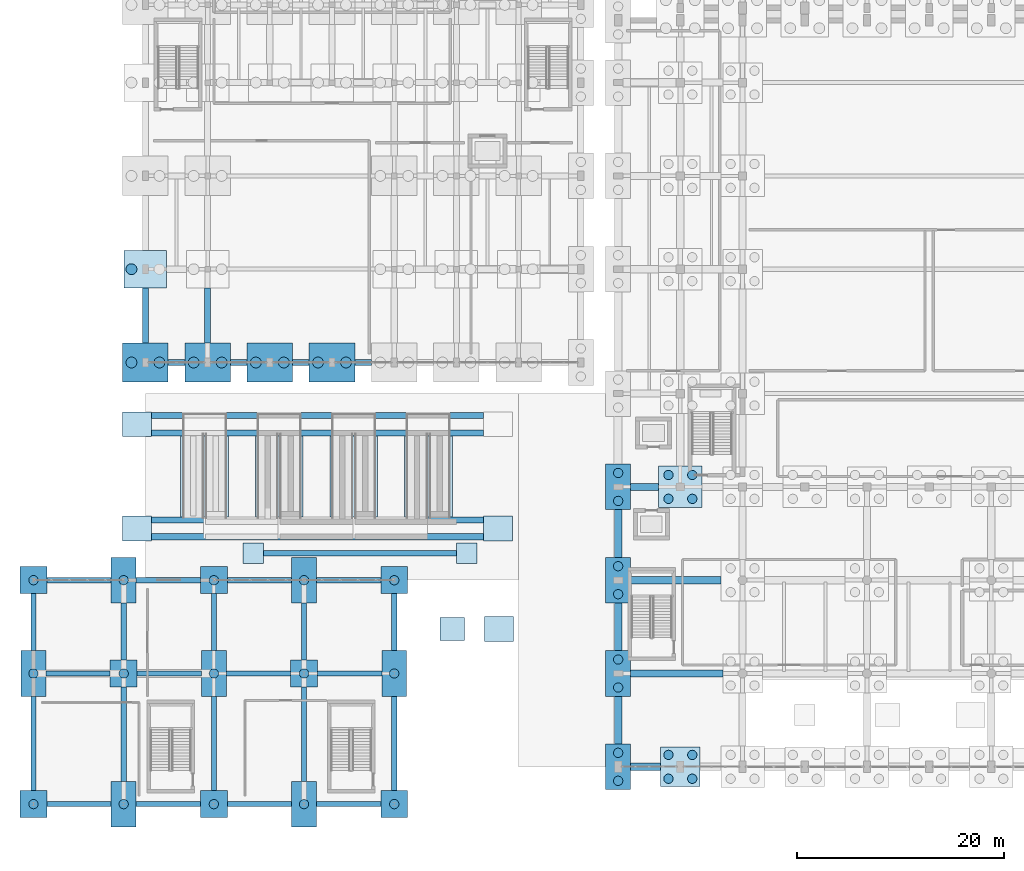
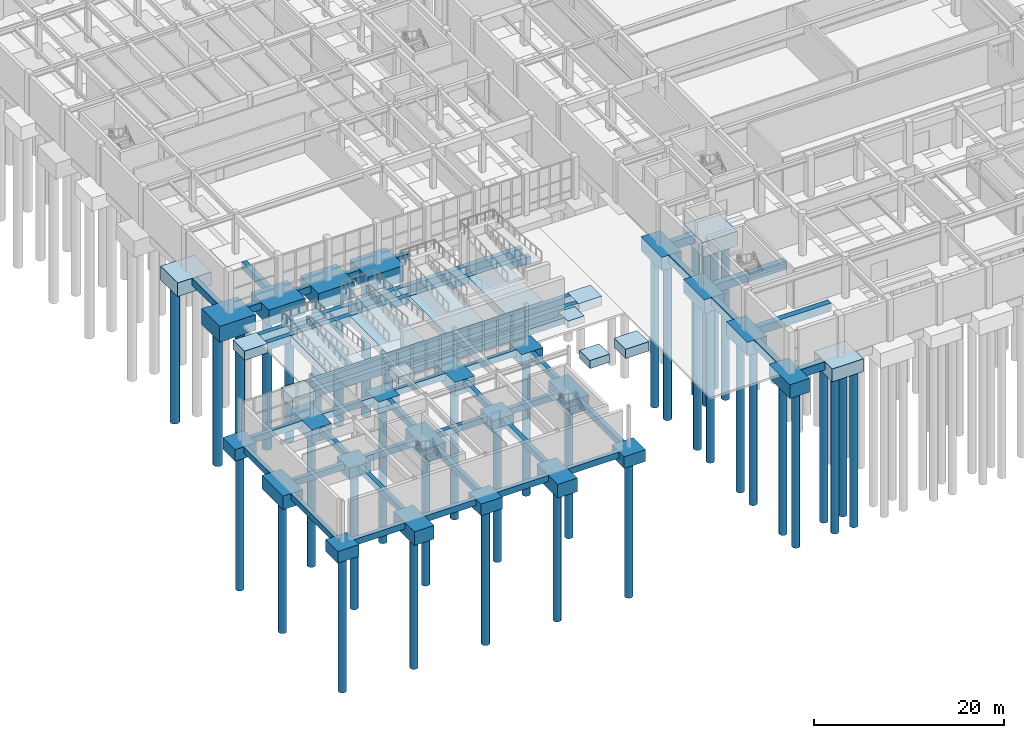
# One storey, part 1 of 69: 77 footings, 40 piles.
"""IFC4 building model written with IfcOpenShell, lengths in metres."""

from ifc_helpers import new_model, si_unit, direction, frame, origin, origin_2d, place, context, subcontext, project, spatial, rectangle, circle, extrude, material, material_profile, profile_set, type_object, element, save


model = new_model("IFC4")

# Units and contexts
model_context = context("Model", 3, precision=1e-05, world=origin(), true_north=direction((0.0, 1.0)))
body_context = subcontext(model_context, "Body", "Model", "MODEL_VIEW")
ifc_project = project(units=[si_unit("LENGTHUNIT", "METRE"), si_unit("AREAUNIT", "SQUARE_METRE"), si_unit("VOLUMEUNIT", "CUBIC_METRE"), si_unit("PLANEANGLEUNIT", "RADIAN"), si_unit("MASSUNIT", "GRAM", prefix="KILO")], contexts=[model_context])

# Site, building, storey
site_placement = place(None, origin())
site = spatial("IfcSite", under=ifc_project, at=site_placement, CompositionType="ELEMENT")
building_placement = place(site_placement, origin())
building = spatial("IfcBuilding", under=site, at=building_placement, Name="Vaelkrest Opera House", CompositionType="ELEMENT")
storey_placement = place(building_placement, frame((0.0, 0.0, -5.39990234375)))
storey = spatial("IfcBuildingStorey", under=building, at=storey_placement, Name="B1", CompositionType="ELEMENT", Elevation=-5.39990234375)

# Footings
ifc_material = material(Name="Concrete C40/50", Category="concrete")
footing_type_1 = type_object("IfcFootingType", Name="FB01", PredefinedType="FOOTING_BEAM", material=ifc_material)
for number, where, z_axis, x_axis, name in (
    (1, (-72.60009765625, -16.800048828125, -0.900146484375), (0.0, 0.0, 1.0), (1.0, 0.0, 0.0), "Footing tie beam FT-GB-0189"),
    (2, (-66.60009765625, -16.800048828125, -0.900146484375), (0.0, 0.0, 1.0), (1.0, 0.0, 0.0), "Footing tie beam FT-GB-0190"),
    (3, (-60.60009765625, -16.800048828125, -0.900146484375), (0.0, 0.0, 1.0), (1.0, 0.0, 0.0), "Footing tie beam FT-GB-0191"),
    (4, (-54.60009765625, -16.800048828125, -0.900146484375), (0.0, 0.0, 1.0), (1.0, 0.0, 0.0), "Footing tie beam FT-GB-0192"),
):
    element("IfcFooting", number, at=place(storey_placement, frame(where, z_axis=z_axis, x_axis=x_axis)), inside=storey, type_object=footing_type_1, Name=name, PredefinedType="FOOTING_BEAM", context=body_context, shape_type="SweptSolid", body=[
        extrude(rectangle(XDim=1.60009765625, YDim=0.60009765625, at=origin_2d()), origin(), (0.0, 0.0, 1.0), 0.89990234375),
    ])
for number, where, z_axis, x_axis, name in (
    (5, (-75.60009765625, -12.25, -0.900146484375), (0.0, 0.0, 1.0), (0.0, 1.0, 0.0), "Footing tie beam FT-GB-0239"),
    (6, (-69.60009765625, -12.25, -0.900146484375), (0.0, 0.0, 1.0), (0.0, 1.0, 0.0), "Footing tie beam FT-GB-0246"),
):
    element("IfcFooting", number, at=place(storey_placement, frame(where, z_axis=z_axis, x_axis=x_axis)), inside=storey, type_object=footing_type_1, Name=name, PredefinedType="FOOTING_BEAM", context=body_context, shape_type="SweptSolid", body=[
        extrude(rectangle(XDim=5.300048828125, YDim=0.60009765625, at=origin_2d()), origin(), (0.0, 0.0, 1.0), 0.89990234375),
    ])
for number, where, z_axis, x_axis, name in (
    (7, (-59.0, -32.0, -0.900146484375), (0.0, 0.0, 1.0), (1.0, 0.0, 0.0), "Forecourt ramp strip footing S1"),
    (8, (-59.0, -33.60009765625, -0.900146484375), (0.0, 0.0, 1.0), (1.0, 0.0, 0.0), "Forecourt ramp strip footing S2"),
    (9, (-59.0, -23.60009765625, -0.900146484375), (0.0, 0.0, 1.0), (1.0, 0.0, 0.0), "Forecourt ramp strip footing N1"),
    (10, (-59.0, -21.89990234375, -0.900146484375), (0.0, 0.0, 1.0), (1.0, 0.0, 0.0), "Forecourt ramp strip footing N2"),
):
    element("IfcFooting", number, at=place(storey_placement, frame(where, z_axis=z_axis, x_axis=x_axis)), inside=storey, type_object=footing_type_1, Name=name, PredefinedType="FOOTING_BEAM", context=body_context, shape_type="SweptSolid", body=[
        extrude(rectangle(XDim=32.0, YDim=0.60009765625, at=origin_2d()), origin(), (0.0, 0.0, 1.0), 0.89990234375),
    ])
footing_type_2 = type_object("IfcFootingType", Name="FB02", PredefinedType="FOOTING_BEAM", material=ifc_material)
footing_1_placement = place(storey_placement, frame((-27.35009765625, -55.800048828125, -1.05029296875), z_axis=(0.0, 0.0, 1.0), x_axis=(1.0, 0.0, 0.0)))
element("IfcFooting", 11, at=footing_1_placement, inside=storey, type_object=footing_type_2, Name="Footing tie beam FT-GB-0001", PredefinedType="FOOTING_BEAM", context=body_context, shape_type="SweptSolid", body=[
    extrude(rectangle(XDim=2.89990234375, YDim=0.699951171875, at=origin_2d()), origin(), (0.0, 0.0, 1.0), 1.050048828125),
])
footing_2_placement = place(storey_placement, frame((-24.35009765625, -46.800048828125, -1.05029296875), z_axis=(0.0, 0.0, 1.0), x_axis=(1.0, 0.0, 0.0)))
element("IfcFooting", 12, at=footing_2_placement, inside=storey, type_object=footing_type_2, Name="Footing tie beam FT-GB-0011", PredefinedType="FOOTING_BEAM", context=body_context, shape_type="SweptSolid", body=[
    extrude(rectangle(XDim=8.89990234375, YDim=0.699951171875, at=origin_2d()), origin(), (0.0, 0.0, 1.0), 1.050048828125),
])
footing_3_placement = place(storey_placement, frame((-24.449951171875, -37.800048828125, -1.05029296875), z_axis=(0.0, 0.0, 1.0), x_axis=(1.0, 0.0, 0.0)))
element("IfcFooting", 13, at=footing_3_placement, inside=storey, type_object=footing_type_2, Name="Footing tie beam FT-GB-0016", PredefinedType="FOOTING_BEAM", context=body_context, shape_type="SweptSolid", body=[
    extrude(rectangle(XDim=8.699951171875, YDim=0.699951171875, at=origin_2d()), origin(), (0.0, 0.0, 1.0), 1.050048828125),
])
footing_4_placement = place(storey_placement, frame((-27.449951171875, -28.800048828125, -1.05029296875), z_axis=(0.0, 0.0, 1.0), x_axis=(1.0, 0.0, 0.0)))
element("IfcFooting", 14, at=footing_4_placement, inside=storey, type_object=footing_type_2, Name="Footing tie beam FT-GB-0021", PredefinedType="FOOTING_BEAM", context=body_context, shape_type="SweptSolid", body=[
    extrude(rectangle(XDim=2.699951171875, YDim=0.699951171875, at=origin_2d()), origin(), (0.0, 0.0, 1.0), 1.050048828125),
])
for number, where, z_axis, x_axis, name in (
    (15, (-30.0, -51.300048828125, -1.05029296875), (0.0, 0.0, 1.0), (0.0, 1.0, 0.0), "Footing tie beam FT-GB-0056"),
    (16, (-30.0, -42.300048828125, -1.05029296875), (0.0, 0.0, 1.0), (0.0, 1.0, 0.0), "Footing tie beam FT-GB-0057"),
    (17, (-30.0, -33.300048828125, -1.05029296875), (0.0, 0.0, 1.0), (0.0, 1.0, 0.0), "Footing tie beam FT-GB-0058"),
):
    element("IfcFooting", number, at=place(storey_placement, frame(where, z_axis=z_axis, x_axis=x_axis)), inside=storey, type_object=footing_type_2, Name=name, PredefinedType="FOOTING_BEAM", context=body_context, shape_type="SweptSolid", body=[
        extrude(rectangle(XDim=4.60009765625, YDim=0.699951171875, at=origin_2d()), origin(), (0.0, 0.0, 1.0), 1.050048828125),
    ])
for number, where, z_axis, x_axis, name in (
    (18, (-69.89990234375, -27.75, -1.05029296875), (0.0, 0.0, 1.0), (1.0, 0.0, 0.0), "Ramp stem mat footing RMP-FC-1"),
    (19, (-62.699951171875, -27.75, -1.05029296875), (0.0, 0.0, 1.0), (1.0, 0.0, 0.0), "Ramp stem mat footing RMP-FC-2"),
    (20, (-55.5, -27.75, -1.05029296875), (0.0, 0.0, 1.0), (1.0, 0.0, 0.0), "Ramp stem mat footing RMP-FC-3"),
    (21, (-48.300048828125, -27.75, -1.05029296875), (0.0, 0.0, 1.0), (1.0, 0.0, 0.0), "Ramp stem mat footing RMP-FC-4"),
):
    element("IfcFooting", number, at=place(storey_placement, frame(where, z_axis=z_axis, x_axis=x_axis)), inside=storey, type_object=footing_type_2, Name=name, PredefinedType="FOOTING_BEAM", context=body_context, shape_type="SweptSolid", body=[
        extrude(rectangle(XDim=4.60009765625, YDim=8.199951171875, at=origin_2d()), origin(), (0.0, 0.0, 1.0), 1.050048828125),
    ])
footing_type_3 = type_object("IfcFootingType", Name="FB03", PredefinedType="FOOTING_BEAM", material=ifc_material)
for number, where, z_axis, x_axis, name in (
    (22, (-82.0, -59.39990234375, -0.80029296875), (0.0, 0.0, 1.0), (1.0, 0.0, 0.0), "Footing tie beam FT-GB-0392"),
    (23, (-73.39990234375, -59.39990234375, -0.80029296875), (0.0, 0.0, 1.0), (1.0, 0.0, 0.0), "Footing tie beam FT-GB-0393"),
    (24, (-64.60009765625, -59.39990234375, -0.80029296875), (0.0, 0.0, 1.0), (1.0, 0.0, 0.0), "Footing tie beam FT-GB-0394"),
    (25, (-56.0, -59.39990234375, -0.80029296875), (0.0, 0.0, 1.0), (1.0, 0.0, 0.0), "Footing tie beam FT-GB-0395"),
    (26, (-82.10009765625, -46.800048828125, -0.80029296875), (0.0, 0.0, 1.0), (1.0, 0.0, 0.0), "Footing tie beam FT-GB-0396"),
    (27, (-73.300048828125, -46.800048828125, -0.80029296875), (0.0, 0.0, 1.0), (1.0, 0.0, 0.0), "Footing tie beam FT-GB-0397"),
    (28, (-64.699951171875, -46.800048828125, -0.80029296875), (0.0, 0.0, 1.0), (1.0, 0.0, 0.0), "Footing tie beam FT-GB-0398"),
    (29, (-55.89990234375, -46.800048828125, -0.80029296875), (0.0, 0.0, 1.0), (1.0, 0.0, 0.0), "Footing tie beam FT-GB-0399"),
    (30, (-82.0, -37.800048828125, -0.80029296875), (0.0, 0.0, 1.0), (1.0, 0.0, 0.0), "Footing tie beam FT-GB-0400"),
    (31, (-73.39990234375, -37.800048828125, -0.80029296875), (0.0, 0.0, 1.0), (1.0, 0.0, 0.0), "Footing tie beam FT-GB-0401"),
    (32, (-64.60009765625, -37.800048828125, -0.80029296875), (0.0, 0.0, 1.0), (1.0, 0.0, 0.0), "Footing tie beam FT-GB-0402"),
    (33, (-56.0, -37.800048828125, -0.80029296875), (0.0, 0.0, 1.0), (1.0, 0.0, 0.0), "Footing tie beam FT-GB-0403"),
):
    element("IfcFooting", number, at=place(storey_placement, frame(where, z_axis=z_axis, x_axis=x_axis)), inside=storey, type_object=footing_type_3, Name=name, PredefinedType="FOOTING_BEAM", context=body_context, shape_type="SweptSolid", body=[
        extrude(rectangle(XDim=6.199951171875, YDim=0.5, at=origin_2d()), origin(), (0.0, 0.0, 1.0), 0.800048828125),
    ])
footing_5_placement = place(storey_placement, frame((-86.39990234375, -53.550048828125, -0.80029296875), z_axis=(0.0, 0.0, 1.0), x_axis=(0.0, 1.0, 0.0)))
element("IfcFooting", 34, at=footing_5_placement, inside=storey, type_object=footing_type_3, Name="Footing tie beam FT-GB-0404", PredefinedType="FOOTING_BEAM", context=body_context, shape_type="SweptSolid", body=[
    extrude(rectangle(XDim=9.10009765625, YDim=0.5, at=origin_2d()), origin(), (0.0, 0.0, 1.0), 0.800048828125),
])
footing_6_placement = place(storey_placement, frame((-86.39990234375, -41.85009765625, -0.80029296875), z_axis=(0.0, 0.0, 1.0), x_axis=(0.0, 1.0, 0.0)))
element("IfcFooting", 35, at=footing_6_placement, inside=storey, type_object=footing_type_3, Name="Footing tie beam FT-GB-0405", PredefinedType="FOOTING_BEAM", context=body_context, shape_type="SweptSolid", body=[
    extrude(rectangle(XDim=5.5, YDim=0.5, at=origin_2d()), origin(), (0.0, 0.0, 1.0), 0.800048828125),
])
footing_7_placement = place(storey_placement, frame((-77.699951171875, -52.64990234375, -0.80029296875), z_axis=(0.0, 0.0, 1.0), x_axis=(0.0, 1.0, 0.0)))
element("IfcFooting", 36, at=footing_7_placement, inside=storey, type_object=footing_type_3, Name="Footing tie beam FT-GB-0406", PredefinedType="FOOTING_BEAM", context=body_context, shape_type="SweptSolid", body=[
    extrude(rectangle(XDim=9.10009765625, YDim=0.5, at=origin_2d()), origin(), (0.0, 0.0, 1.0), 0.800048828125),
])
footing_8_placement = place(storey_placement, frame((-77.699951171875, -42.75, -0.80029296875), z_axis=(0.0, 0.0, 1.0), x_axis=(0.0, 1.0, 0.0)))
element("IfcFooting", 37, at=footing_8_placement, inside=storey, type_object=footing_type_3, Name="Footing tie beam FT-GB-0407", PredefinedType="FOOTING_BEAM", context=body_context, shape_type="SweptSolid", body=[
    extrude(rectangle(XDim=5.5, YDim=0.5, at=origin_2d()), origin(), (0.0, 0.0, 1.0), 0.800048828125),
])
footing_9_placement = place(storey_placement, frame((-69.0, -53.550048828125, -0.80029296875), z_axis=(0.0, 0.0, 1.0), x_axis=(0.0, 1.0, 0.0)))
element("IfcFooting", 38, at=footing_9_placement, inside=storey, type_object=footing_type_3, Name="Footing tie beam FT-GB-0408", PredefinedType="FOOTING_BEAM", context=body_context, shape_type="SweptSolid", body=[
    extrude(rectangle(XDim=9.10009765625, YDim=0.5, at=origin_2d()), origin(), (0.0, 0.0, 1.0), 0.800048828125),
])
footing_10_placement = place(storey_placement, frame((-69.0, -41.85009765625, -0.80029296875), z_axis=(0.0, 0.0, 1.0), x_axis=(0.0, 1.0, 0.0)))
element("IfcFooting", 39, at=footing_10_placement, inside=storey, type_object=footing_type_3, Name="Footing tie beam FT-GB-0409", PredefinedType="FOOTING_BEAM", context=body_context, shape_type="SweptSolid", body=[
    extrude(rectangle(XDim=5.5, YDim=0.5, at=origin_2d()), origin(), (0.0, 0.0, 1.0), 0.800048828125),
])
footing_11_placement = place(storey_placement, frame((-60.300048828125, -52.64990234375, -0.80029296875), z_axis=(0.0, 0.0, 1.0), x_axis=(0.0, 1.0, 0.0)))
element("IfcFooting", 40, at=footing_11_placement, inside=storey, type_object=footing_type_3, Name="Footing tie beam FT-GB-0410", PredefinedType="FOOTING_BEAM", context=body_context, shape_type="SweptSolid", body=[
    extrude(rectangle(XDim=9.10009765625, YDim=0.5, at=origin_2d()), origin(), (0.0, 0.0, 1.0), 0.800048828125),
])
footing_12_placement = place(storey_placement, frame((-60.300048828125, -42.75, -0.80029296875), z_axis=(0.0, 0.0, 1.0), x_axis=(0.0, 1.0, 0.0)))
element("IfcFooting", 41, at=footing_12_placement, inside=storey, type_object=footing_type_3, Name="Footing tie beam FT-GB-0411", PredefinedType="FOOTING_BEAM", context=body_context, shape_type="SweptSolid", body=[
    extrude(rectangle(XDim=5.5, YDim=0.5, at=origin_2d()), origin(), (0.0, 0.0, 1.0), 0.800048828125),
])
footing_13_placement = place(storey_placement, frame((-51.60009765625, -53.550048828125, -0.80029296875), z_axis=(0.0, 0.0, 1.0), x_axis=(0.0, 1.0, 0.0)))
element("IfcFooting", 42, at=footing_13_placement, inside=storey, type_object=footing_type_3, Name="Footing tie beam FT-GB-0412", PredefinedType="FOOTING_BEAM", context=body_context, shape_type="SweptSolid", body=[
    extrude(rectangle(XDim=9.10009765625, YDim=0.5, at=origin_2d()), origin(), (0.0, 0.0, 1.0), 0.800048828125),
])
footing_14_placement = place(storey_placement, frame((-51.60009765625, -41.85009765625, -0.80029296875), z_axis=(0.0, 0.0, 1.0), x_axis=(0.0, 1.0, 0.0)))
element("IfcFooting", 43, at=footing_14_placement, inside=storey, type_object=footing_type_3, Name="Footing tie beam FT-GB-0413", PredefinedType="FOOTING_BEAM", context=body_context, shape_type="SweptSolid", body=[
    extrude(rectangle(XDim=5.5, YDim=0.5, at=origin_2d()), origin(), (0.0, 0.0, 1.0), 0.800048828125),
])
footing_15_placement = place(storey_placement, frame((-54.89990234375, -35.199951171875, -0.80029296875), z_axis=(0.0, 0.0, 1.0), x_axis=(1.0, 0.0, 0.0)))
element("IfcFooting", 44, at=footing_15_placement, inside=storey, type_object=footing_type_3, Name="Ramp arrival south strip footing", PredefinedType="FOOTING_BEAM", context=body_context, shape_type="SweptSolid", body=[
    extrude(rectangle(XDim=18.60009765625, YDim=0.5, at=origin_2d()), origin(), (0.0, 0.0, 1.0), 0.800048828125),
])
footing_type_4 = type_object("IfcFootingType", Name="PC01", PredefinedType="PILE_CAP", material=ifc_material)
for number, where, z_axis, x_axis, name in (
    (45, (-86.39990234375, -59.39990234375, -1.5), (0.0, 0.0, 1.0), (1.0, 0.0, 0.0), "Pile cap FT-CAP-238"),
    (46, (-86.39990234375, -37.800048828125, -1.5), (0.0, 0.0, 1.0), (1.0, 0.0, 0.0), "Pile cap FT-CAP-240"),
    (47, (-77.699951171875, -46.800048828125, -1.5), (0.0, 0.0, 1.0), (1.0, 0.0, 0.0), "Pile cap FT-CAP-242"),
    (48, (-69.0, -59.39990234375, -1.5), (0.0, 0.0, 1.0), (1.0, 0.0, 0.0), "Pile cap FT-CAP-244"),
    (49, (-69.0, -37.800048828125, -1.5), (0.0, 0.0, 1.0), (1.0, 0.0, 0.0), "Pile cap FT-CAP-246"),
    (50, (-60.300048828125, -46.800048828125, -1.5), (0.0, 0.0, 1.0), (1.0, 0.0, 0.0), "Pile cap FT-CAP-248"),
    (51, (-51.60009765625, -59.39990234375, -1.5), (0.0, 0.0, 1.0), (1.0, 0.0, 0.0), "Pile cap FT-CAP-250"),
    (52, (-51.60009765625, -37.800048828125, -1.5), (0.0, 0.0, 1.0), (1.0, 0.0, 0.0), "Pile cap FT-CAP-252"),
):
    element("IfcFooting", number, at=place(storey_placement, frame(where, z_axis=z_axis, x_axis=x_axis)), inside=storey, type_object=footing_type_4, Name=name, PredefinedType="PILE_CAP", context=body_context, shape_type="SweptSolid", body=[
        extrude(rectangle(XDim=2.60009765625, YDim=2.60009765625, at=origin_2d()), origin(), (0.0, 0.0, 1.0), 1.5),
    ])
footing_type_5 = type_object("IfcFootingType", Name="PC02", PredefinedType="PILE_CAP", material=ifc_material)
footing_16_placement = place(storey_placement, frame((-24.0, -55.800048828125, -1.650146484375), z_axis=(0.0, 0.0, 1.0), x_axis=(1.0, 0.0, 0.0)))
element("IfcFooting", 53, at=footing_16_placement, inside=storey, type_object=footing_type_5, Name="Pile cap FT-CAP-010", PredefinedType="PILE_CAP", context=body_context, shape_type="SweptSolid", body=[
    extrude(rectangle(XDim=3.800048828125, YDim=3.800048828125, at=origin_2d()), origin(), (0.0, 0.0, 1.0), 1.64990234375),
])
footing_type_6 = type_object("IfcFootingType", Name="PC03", PredefinedType="PILE_CAP", material=ifc_material)
footing_17_placement = place(storey_placement, frame((-75.60009765625, -7.800048828125, -1.75), z_axis=(0.0, 0.0, 1.0), x_axis=(1.0, 0.0, 0.0)))
element("IfcFooting", 54, at=footing_17_placement, inside=storey, type_object=footing_type_6, Name="Pile cap FT-CAP-118", PredefinedType="PILE_CAP", context=body_context, shape_type="SweptSolid", body=[
    extrude(rectangle(XDim=4.10009765625, YDim=3.60009765625, at=origin_2d()), origin(), (0.0, 0.0, 1.0), 1.75),
])
footing_type_7 = type_object("IfcFootingType", Name="PC04", PredefinedType="PILE_CAP", material=ifc_material)
footing_18_placement = place(storey_placement, frame((-24.0, -28.800048828125, -1.900146484375), z_axis=(0.0, 0.0, 1.0), x_axis=(1.0, 0.0, 0.0)))
element("IfcFooting", 55, at=footing_18_placement, inside=storey, type_object=footing_type_7, Name="Pile cap FT-CAP-011", PredefinedType="PILE_CAP", context=body_context, shape_type="SweptSolid", body=[
    extrude(rectangle(XDim=4.199951171875, YDim=4.0, at=origin_2d()), origin(), (0.0, 0.0, 1.0), 1.89990234375),
])
footing_type_8 = type_object("IfcFootingType", Name="PC05", PredefinedType="PILE_CAP", material=ifc_material)
for number, where, z_axis, x_axis, name in (
    (56, (-75.60009765625, -16.800048828125, -2.05029296875), (0.0, 0.0, 1.0), (1.0, 0.0, 0.0), "Pile cap FT-CAP-117"),
    (57, (-69.60009765625, -16.800048828125, -2.05029296875), (0.0, 0.0, 1.0), (1.0, 0.0, 0.0), "Pile cap FT-CAP-125"),
    (58, (-63.60009765625, -16.800048828125, -2.05029296875), (0.0, 0.0, 1.0), (1.0, 0.0, 0.0), "Pile cap FT-CAP-133"),
    (59, (-57.60009765625, -16.800048828125, -2.05029296875), (0.0, 0.0, 1.0), (1.0, 0.0, 0.0), "Pile cap FT-CAP-139"),
):
    element("IfcFooting", number, at=place(storey_placement, frame(where, z_axis=z_axis, x_axis=x_axis)), inside=storey, type_object=footing_type_8, Name=name, PredefinedType="PILE_CAP", context=body_context, shape_type="SweptSolid", body=[
        extrude(rectangle(XDim=4.39990234375, YDim=3.800048828125, at=origin_2d()), origin(), (0.0, 0.0, 1.0), 2.050048828125),
    ])
footing_type_9 = type_object("IfcFootingType", Name="PC08", PredefinedType="PILE_CAP", material=ifc_material)
for number, where, z_axis, x_axis, name in (
    (60, (-30.0, -55.800048828125, -1.75), (0.0, 0.0, 1.0), (1.0, 0.0, 0.0), "Pile cap FT-CAP-001"),
    (61, (-30.0, -46.800048828125, -1.75), (0.0, 0.0, 1.0), (1.0, 0.0, 0.0), "Pile cap FT-CAP-002"),
    (62, (-30.0, -37.800048828125, -1.75), (0.0, 0.0, 1.0), (1.0, 0.0, 0.0), "Pile cap FT-CAP-003"),
    (63, (-30.0, -28.800048828125, -1.75), (0.0, 0.0, 1.0), (1.0, 0.0, 0.0), "Pile cap FT-CAP-004"),
    (64, (-86.39990234375, -46.800048828125, -1.75), (0.0, 0.0, 1.0), (1.0, 0.0, 0.0), "Pile cap FT-CAP-239"),
    (65, (-77.699951171875, -59.39990234375, -1.75), (0.0, 0.0, 1.0), (1.0, 0.0, 0.0), "Pile cap FT-CAP-241"),
    (66, (-77.699951171875, -37.800048828125, -1.75), (0.0, 0.0, 1.0), (1.0, 0.0, 0.0), "Pile cap FT-CAP-243"),
    (67, (-69.0, -46.800048828125, -1.75), (0.0, 0.0, 1.0), (1.0, 0.0, 0.0), "Pile cap FT-CAP-245"),
    (68, (-60.300048828125, -59.39990234375, -1.75), (0.0, 0.0, 1.0), (1.0, 0.0, 0.0), "Pile cap FT-CAP-247"),
    (69, (-60.300048828125, -37.800048828125, -1.75), (0.0, 0.0, 1.0), (1.0, 0.0, 0.0), "Pile cap FT-CAP-249"),
    (70, (-51.60009765625, -46.800048828125, -1.75), (0.0, 0.0, 1.0), (1.0, 0.0, 0.0), "Pile cap FT-CAP-251"),
):
    element("IfcFooting", number, at=place(storey_placement, frame(where, z_axis=z_axis, x_axis=x_axis)), inside=storey, type_object=footing_type_9, Name=name, PredefinedType="PILE_CAP", context=body_context, shape_type="SweptSolid", body=[
        extrude(rectangle(XDim=2.39990234375, YDim=4.39990234375, at=origin_2d()), origin(), (0.0, 0.0, 1.0), 1.75),
    ])
footing_type_10 = type_object("IfcFootingType", Name="PF01", PredefinedType="PAD_FOOTING", material=ifc_material)
for number, where, z_axis, x_axis, name in (
    (71, (-65.199951171875, -35.199951171875, -0.900146484375), (0.0, 0.0, 1.0), (1.0, 0.0, 0.0), "Pad footing FT-PAD-ARR-W"),
    (72, (-44.60009765625, -35.199951171875, -0.900146484375), (0.0, 0.0, 1.0), (1.0, 0.0, 0.0), "Pad footing FT-PAD-ARR-E"),
):
    element("IfcFooting", number, at=place(storey_placement, frame(where, z_axis=z_axis, x_axis=x_axis)), inside=storey, type_object=footing_type_10, Name=name, PredefinedType="PAD_FOOTING", context=body_context, shape_type="SweptSolid", body=[
        extrude(rectangle(XDim=2.0, YDim=2.0, at=origin_2d()), origin(), (0.0, 0.0, 1.0), 0.89990234375),
    ])
footing_type_11 = type_object("IfcFootingType", Name="PF02", PredefinedType="PAD_FOOTING", material=ifc_material)
footing_19_placement = place(storey_placement, frame((-46.0, -42.5, -1.05029296875), z_axis=(0.0, 0.0, 1.0), x_axis=(1.0, 0.0, 0.0)))
element("IfcFooting", 73, at=footing_19_placement, inside=storey, type_object=footing_type_11, Name="Pad footing FT-PAD-05", PredefinedType="PAD_FOOTING", context=body_context, shape_type="SweptSolid", body=[
    extrude(rectangle(XDim=2.39990234375, YDim=2.199951171875, at=origin_2d()), origin(), (0.0, 0.0, 1.0), 1.050048828125),
])
footing_type_12 = type_object("IfcFootingType", Name="PF03", PredefinedType="PAD_FOOTING", material=ifc_material)
for number, where, z_axis, x_axis, name in (
    (74, (-41.5, -42.5, -1.2001953125), (0.0, 0.0, 1.0), (1.0, 0.0, 0.0), "Pad footing FT-PAD-06"),
    (75, (-76.39990234375, -22.75, -1.2001953125), (0.0, 0.0, 1.0), (1.0, 0.0, 0.0), "Pad footing FT-PAD-RMP-NW"),
    (76, (-76.39990234375, -32.800048828125, -1.2001953125), (0.0, 0.0, 1.0), (1.0, 0.0, 0.0), "Pad footing FT-PAD-RMP-SW"),
    (77, (-41.60009765625, -32.800048828125, -1.2001953125), (0.0, 0.0, 1.0), (1.0, 0.0, 0.0), "Pad footing FT-PAD-RMP-SE"),
):
    element("IfcFooting", number, at=place(storey_placement, frame(where, z_axis=z_axis, x_axis=x_axis)), inside=storey, type_object=footing_type_12, Name=name, PredefinedType="PAD_FOOTING", context=body_context, shape_type="SweptSolid", body=[
        extrude(rectangle(XDim=2.800048828125, YDim=2.39990234375, at=origin_2d()), origin(), (0.0, 0.0, 1.0), 1.199951171875),
    ])

# Piles
ifc_material_profile_1 = material_profile(ifc_material, circle(Radius=0.449951171875, at=origin_2d()), Name="PILE900")
ifc_profile_set_1 = profile_set([ifc_material_profile_1], Name="Concrete C40/50")
pile_type_1 = type_object("IfcPileType", Name="PL01", PredefinedType="BORED", material=ifc_profile_set_1)
for number, where, z_axis, x_axis, name in (
    (78, (-30.0, -57.14990234375, -1.650146484375), (0.0, 0.0, -1.0), (1.0, 0.0, 0.0), "Bored pile PL-0001"),
    (79, (-30.0, -54.449951171875, -1.650146484375), (0.0, 0.0, -1.0), (1.0, 0.0, 0.0), "Bored pile PL-0002"),
    (80, (-30.0, -48.14990234375, -1.650146484375), (0.0, 0.0, -1.0), (1.0, 0.0, 0.0), "Bored pile PL-0003"),
    (81, (-30.0, -45.449951171875, -1.650146484375), (0.0, 0.0, -1.0), (1.0, 0.0, 0.0), "Bored pile PL-0004"),
    (82, (-30.0, -39.14990234375, -1.650146484375), (0.0, 0.0, -1.0), (1.0, 0.0, 0.0), "Bored pile PL-0005"),
    (83, (-30.0, -36.449951171875, -1.650146484375), (0.0, 0.0, -1.0), (1.0, 0.0, 0.0), "Bored pile PL-0006"),
    (84, (-30.0, -30.14990234375, -1.650146484375), (0.0, 0.0, -1.0), (1.0, 0.0, 0.0), "Bored pile PL-0007"),
    (85, (-30.0, -27.449951171875, -1.650146484375), (0.0, 0.0, -1.0), (1.0, 0.0, 0.0), "Bored pile PL-0008"),
):
    element("IfcPile", number, at=place(storey_placement, frame(where, z_axis=z_axis, x_axis=x_axis)), inside=storey, type_object=pile_type_1, Name=name, PredefinedType="BORED", context=body_context, shape_type="SweptSolid", body=[
        extrude(circle(Radius=0.449951171875, at=origin_2d()), origin(), (0.0, 0.0, 1.0), 19.949951171875),
    ])
for number, where, z_axis, x_axis, name in (
    (86, (-25.14990234375, -56.949951171875, -1.550048828125), (0.0, 0.0, -1.0), (1.0, 0.0, 0.0), "Bored pile PL-0019"),
    (87, (-22.85009765625, -56.949951171875, -1.550048828125), (0.0, 0.0, -1.0), (1.0, 0.0, 0.0), "Bored pile PL-0020"),
    (88, (-25.14990234375, -54.64990234375, -1.550048828125), (0.0, 0.0, -1.0), (1.0, 0.0, 0.0), "Bored pile PL-0021"),
    (89, (-22.85009765625, -54.64990234375, -1.550048828125), (0.0, 0.0, -1.0), (1.0, 0.0, 0.0), "Bored pile PL-0022"),
):
    element("IfcPile", number, at=place(storey_placement, frame(where, z_axis=z_axis, x_axis=x_axis)), inside=storey, type_object=pile_type_1, Name=name, PredefinedType="BORED", context=body_context, shape_type="SweptSolid", body=[
        extrude(circle(Radius=0.449951171875, at=origin_2d()), origin(), (0.0, 0.0, 1.0), 20.050048828125),
    ])
for number, where, z_axis, x_axis, name in (
    (90, (-25.14990234375, -29.949951171875, -1.800048828125), (0.0, 0.0, -1.0), (1.0, 0.0, 0.0), "Bored pile PL-0023"),
    (91, (-22.85009765625, -29.949951171875, -1.800048828125), (0.0, 0.0, -1.0), (1.0, 0.0, 0.0), "Bored pile PL-0024"),
    (92, (-25.14990234375, -27.64990234375, -1.800048828125), (0.0, 0.0, -1.0), (1.0, 0.0, 0.0), "Bored pile PL-0025"),
    (93, (-22.85009765625, -27.64990234375, -1.800048828125), (0.0, 0.0, -1.0), (1.0, 0.0, 0.0), "Bored pile PL-0026"),
):
    element("IfcPile", number, at=place(storey_placement, frame(where, z_axis=z_axis, x_axis=x_axis)), inside=storey, type_object=pile_type_1, Name=name, PredefinedType="BORED", context=body_context, shape_type="SweptSolid", body=[
        extrude(circle(Radius=0.449951171875, at=origin_2d()), origin(), (0.0, 0.0, 1.0), 19.800048828125),
    ])
pile_1_placement = place(storey_placement, frame((-86.39990234375, -59.39990234375, -1.400146484375), z_axis=(0.0, 0.0, -1.0), x_axis=(1.0, 0.0, 0.0)))
element("IfcPile", 94, at=pile_1_placement, inside=storey, type_object=pile_type_1, Name="Bored pile PL-0663", PredefinedType="BORED", context=body_context, shape_type="SweptSolid", body=[
    extrude(circle(Radius=0.449951171875, at=origin_2d()), origin(), (0.0, 0.0, 1.0), 17.699951171875),
])
pile_2_placement = place(storey_placement, frame((-86.39990234375, -46.800048828125, -1.650146484375), z_axis=(0.0, 0.0, -1.0), x_axis=(1.0, 0.0, 0.0)))
element("IfcPile", 95, at=pile_2_placement, inside=storey, type_object=pile_type_1, Name="Bored pile PL-0664", PredefinedType="BORED", context=body_context, shape_type="SweptSolid", body=[
    extrude(circle(Radius=0.449951171875, at=origin_2d()), origin(), (0.0, 0.0, 1.0), 17.449951171875),
])
pile_3_placement = place(storey_placement, frame((-86.39990234375, -37.800048828125, -1.400146484375), z_axis=(0.0, 0.0, -1.0), x_axis=(1.0, 0.0, 0.0)))
element("IfcPile", 96, at=pile_3_placement, inside=storey, type_object=pile_type_1, Name="Bored pile PL-0665", PredefinedType="BORED", context=body_context, shape_type="SweptSolid", body=[
    extrude(circle(Radius=0.449951171875, at=origin_2d()), origin(), (0.0, 0.0, 1.0), 17.699951171875),
])
pile_4_placement = place(storey_placement, frame((-77.699951171875, -59.39990234375, -1.650146484375), z_axis=(0.0, 0.0, -1.0), x_axis=(1.0, 0.0, 0.0)))
element("IfcPile", 97, at=pile_4_placement, inside=storey, type_object=pile_type_1, Name="Bored pile PL-0666", PredefinedType="BORED", context=body_context, shape_type="SweptSolid", body=[
    extrude(circle(Radius=0.449951171875, at=origin_2d()), origin(), (0.0, 0.0, 1.0), 17.449951171875),
])
pile_5_placement = place(storey_placement, frame((-77.699951171875, -46.800048828125, -1.400146484375), z_axis=(0.0, 0.0, -1.0), x_axis=(1.0, 0.0, 0.0)))
element("IfcPile", 98, at=pile_5_placement, inside=storey, type_object=pile_type_1, Name="Bored pile PL-0667", PredefinedType="BORED", context=body_context, shape_type="SweptSolid", body=[
    extrude(circle(Radius=0.449951171875, at=origin_2d()), origin(), (0.0, 0.0, 1.0), 17.699951171875),
])
pile_6_placement = place(storey_placement, frame((-77.699951171875, -37.800048828125, -1.650146484375), z_axis=(0.0, 0.0, -1.0), x_axis=(1.0, 0.0, 0.0)))
element("IfcPile", 99, at=pile_6_placement, inside=storey, type_object=pile_type_1, Name="Bored pile PL-0668", PredefinedType="BORED", context=body_context, shape_type="SweptSolid", body=[
    extrude(circle(Radius=0.449951171875, at=origin_2d()), origin(), (0.0, 0.0, 1.0), 17.449951171875),
])
pile_7_placement = place(storey_placement, frame((-69.0, -59.39990234375, -1.400146484375), z_axis=(0.0, 0.0, -1.0), x_axis=(1.0, 0.0, 0.0)))
element("IfcPile", 100, at=pile_7_placement, inside=storey, type_object=pile_type_1, Name="Bored pile PL-0669", PredefinedType="BORED", context=body_context, shape_type="SweptSolid", body=[
    extrude(circle(Radius=0.449951171875, at=origin_2d()), origin(), (0.0, 0.0, 1.0), 17.699951171875),
])
pile_8_placement = place(storey_placement, frame((-69.0, -46.800048828125, -1.650146484375), z_axis=(0.0, 0.0, -1.0), x_axis=(1.0, 0.0, 0.0)))
element("IfcPile", 101, at=pile_8_placement, inside=storey, type_object=pile_type_1, Name="Bored pile PL-0670", PredefinedType="BORED", context=body_context, shape_type="SweptSolid", body=[
    extrude(circle(Radius=0.449951171875, at=origin_2d()), origin(), (0.0, 0.0, 1.0), 17.449951171875),
])
pile_9_placement = place(storey_placement, frame((-69.0, -37.800048828125, -1.400146484375), z_axis=(0.0, 0.0, -1.0), x_axis=(1.0, 0.0, 0.0)))
element("IfcPile", 102, at=pile_9_placement, inside=storey, type_object=pile_type_1, Name="Bored pile PL-0671", PredefinedType="BORED", context=body_context, shape_type="SweptSolid", body=[
    extrude(circle(Radius=0.449951171875, at=origin_2d()), origin(), (0.0, 0.0, 1.0), 17.699951171875),
])
pile_10_placement = place(storey_placement, frame((-60.300048828125, -59.39990234375, -1.650146484375), z_axis=(0.0, 0.0, -1.0), x_axis=(1.0, 0.0, 0.0)))
element("IfcPile", 103, at=pile_10_placement, inside=storey, type_object=pile_type_1, Name="Bored pile PL-0672", PredefinedType="BORED", context=body_context, shape_type="SweptSolid", body=[
    extrude(circle(Radius=0.449951171875, at=origin_2d()), origin(), (0.0, 0.0, 1.0), 17.449951171875),
])
pile_11_placement = place(storey_placement, frame((-60.300048828125, -46.800048828125, -1.400146484375), z_axis=(0.0, 0.0, -1.0), x_axis=(1.0, 0.0, 0.0)))
element("IfcPile", 104, at=pile_11_placement, inside=storey, type_object=pile_type_1, Name="Bored pile PL-0673", PredefinedType="BORED", context=body_context, shape_type="SweptSolid", body=[
    extrude(circle(Radius=0.449951171875, at=origin_2d()), origin(), (0.0, 0.0, 1.0), 17.699951171875),
])
pile_12_placement = place(storey_placement, frame((-60.300048828125, -37.800048828125, -1.650146484375), z_axis=(0.0, 0.0, -1.0), x_axis=(1.0, 0.0, 0.0)))
element("IfcPile", 105, at=pile_12_placement, inside=storey, type_object=pile_type_1, Name="Bored pile PL-0674", PredefinedType="BORED", context=body_context, shape_type="SweptSolid", body=[
    extrude(circle(Radius=0.449951171875, at=origin_2d()), origin(), (0.0, 0.0, 1.0), 17.449951171875),
])
pile_13_placement = place(storey_placement, frame((-51.60009765625, -59.39990234375, -1.400146484375), z_axis=(0.0, 0.0, -1.0), x_axis=(1.0, 0.0, 0.0)))
element("IfcPile", 106, at=pile_13_placement, inside=storey, type_object=pile_type_1, Name="Bored pile PL-0675", PredefinedType="BORED", context=body_context, shape_type="SweptSolid", body=[
    extrude(circle(Radius=0.449951171875, at=origin_2d()), origin(), (0.0, 0.0, 1.0), 17.699951171875),
])
pile_14_placement = place(storey_placement, frame((-51.60009765625, -46.800048828125, -1.650146484375), z_axis=(0.0, 0.0, -1.0), x_axis=(1.0, 0.0, 0.0)))
element("IfcPile", 107, at=pile_14_placement, inside=storey, type_object=pile_type_1, Name="Bored pile PL-0676", PredefinedType="BORED", context=body_context, shape_type="SweptSolid", body=[
    extrude(circle(Radius=0.449951171875, at=origin_2d()), origin(), (0.0, 0.0, 1.0), 17.449951171875),
])
pile_15_placement = place(storey_placement, frame((-51.60009765625, -37.800048828125, -1.400146484375), z_axis=(0.0, 0.0, -1.0), x_axis=(1.0, 0.0, 0.0)))
element("IfcPile", 108, at=pile_15_placement, inside=storey, type_object=pile_type_1, Name="Bored pile PL-0677", PredefinedType="BORED", context=body_context, shape_type="SweptSolid", body=[
    extrude(circle(Radius=0.449951171875, at=origin_2d()), origin(), (0.0, 0.0, 1.0), 17.699951171875),
])
ifc_material_profile_2 = material_profile(ifc_material, circle(Radius=0.52490234375, at=origin_2d()), Name="PILE1050")
ifc_profile_set_2 = profile_set([ifc_material_profile_2], Name="Concrete C40/50")
pile_type_2 = type_object("IfcPileType", Name="PL02", PredefinedType="BORED", material=ifc_profile_set_2)
for number, where, z_axis, x_axis, name in (
    (109, (-76.949951171875, -16.800048828125, -1.9501953125), (0.0, 0.0, -1.0), (1.0, 0.0, 0.0), "Bored pile PL-0421"),
    (110, (-74.25, -16.800048828125, -1.9501953125), (0.0, 0.0, -1.0), (1.0, 0.0, 0.0), "Bored pile PL-0422"),
):
    element("IfcPile", number, at=place(storey_placement, frame(where, z_axis=z_axis, x_axis=x_axis)), inside=storey, type_object=pile_type_2, Name=name, PredefinedType="BORED", context=body_context, shape_type="SweptSolid", body=[
        extrude(circle(Radius=0.52490234375, at=origin_2d()), origin(), (0.0, 0.0, 1.0), 17.14990234375),
    ])
pile_16_placement = place(storey_placement, frame((-76.949951171875, -7.800048828125, -1.650146484375), z_axis=(0.0, 0.0, -1.0), x_axis=(1.0, 0.0, 0.0)))
element("IfcPile", 111, at=pile_16_placement, inside=storey, type_object=pile_type_2, Name="Bored pile PL-0423", PredefinedType="BORED", context=body_context, shape_type="SweptSolid", body=[
    extrude(circle(Radius=0.52490234375, at=origin_2d()), origin(), (0.0, 0.0, 1.0), 17.449951171875),
])
for number, where, z_axis, x_axis, name in (
    (112, (-70.949951171875, -16.800048828125, -1.9501953125), (0.0, 0.0, -1.0), (1.0, 0.0, 0.0), "Bored pile PL-0437"),
    (113, (-68.25, -16.800048828125, -1.9501953125), (0.0, 0.0, -1.0), (1.0, 0.0, 0.0), "Bored pile PL-0438"),
    (114, (-64.949951171875, -16.800048828125, -1.9501953125), (0.0, 0.0, -1.0), (1.0, 0.0, 0.0), "Bored pile PL-0453"),
    (115, (-62.25, -16.800048828125, -1.9501953125), (0.0, 0.0, -1.0), (1.0, 0.0, 0.0), "Bored pile PL-0454"),
    (116, (-58.949951171875, -16.800048828125, -1.9501953125), (0.0, 0.0, -1.0), (1.0, 0.0, 0.0), "Bored pile PL-0465"),
    (117, (-56.25, -16.800048828125, -1.9501953125), (0.0, 0.0, -1.0), (1.0, 0.0, 0.0), "Bored pile PL-0466"),
):
    element("IfcPile", number, at=place(storey_placement, frame(where, z_axis=z_axis, x_axis=x_axis)), inside=storey, type_object=pile_type_2, Name=name, PredefinedType="BORED", context=body_context, shape_type="SweptSolid", body=[
        extrude(circle(Radius=0.52490234375, at=origin_2d()), origin(), (0.0, 0.0, 1.0), 17.14990234375),
    ])

save(model, "model.ifc")
